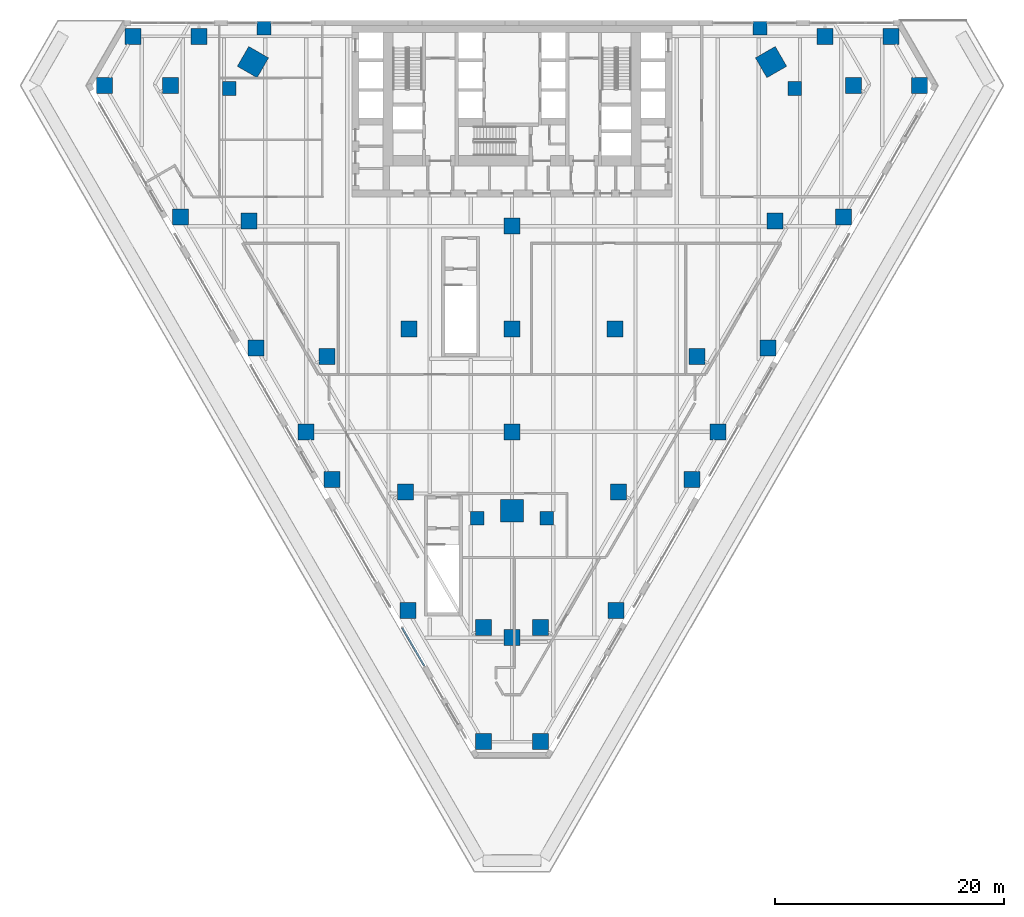
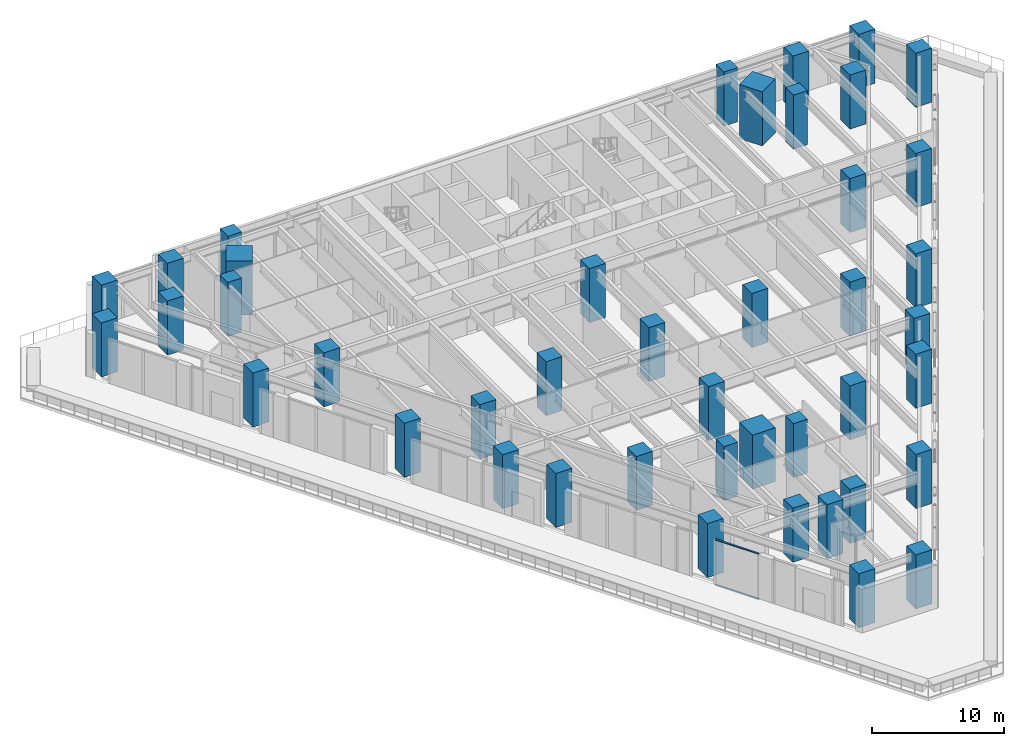
# One storey, part 1 of 31: 43 columns, 2 members, 1 element without a shape of its own.
"""IFC4 building model written with IfcOpenShell, lengths in metres."""

from ifc_helpers import new_model, si_unit, direction, frame, origin, origin_2d, place, context, subcontext, project, spatial, rectangle, extrude, material, material_profile, profile_set, type_object, element, aggregate, save


model = new_model("IFC4")

# Units and contexts
model_context = context("Model", 3, precision=1e-05, world=origin(), true_north=direction((0.0, 1.0)))
body_context = subcontext(model_context, "Body", "Model", "MODEL_VIEW")
ifc_project = project(units=[si_unit("LENGTHUNIT", "METRE"), si_unit("AREAUNIT", "SQUARE_METRE"), si_unit("VOLUMEUNIT", "CUBIC_METRE"), si_unit("PLANEANGLEUNIT", "RADIAN"), si_unit("MASSUNIT", "GRAM", prefix="KILO")], contexts=[model_context])

# Site, building, storey
site_placement = place(None, origin())
site = spatial("IfcSite", under=ifc_project, at=site_placement, CompositionType="ELEMENT")
building_placement = place(site_placement, origin())
building = spatial("IfcBuilding", under=site, at=building_placement, Name="Aloe Facet Convention Tower", CompositionType="ELEMENT")
storey_placement = place(building_placement, frame((0.0, 0.0, 25.0)))
storey = spatial("IfcBuildingStorey", under=building, at=storey_placement, Name="L04", CompositionType="ELEMENT", Elevation=25.0)

# Columns
ifc_material_1 = material(Name="Concrete C60/75", Category="concrete")
ifc_material_profile_1 = material_profile(ifc_material_1, rectangle(XDim=1.39990234375, YDim=1.39990234375, at=origin_2d()), Name="SF-PC-1400")
ifc_profile_set_1 = profile_set([ifc_material_profile_1], Name="Concrete C60/75")
column_type_1 = type_object("IfcColumnType", Name="SF-PC-1400", PredefinedType="COLUMN", material=ifc_profile_set_1)
for number, where, z_axis, x_axis, name in (
    (1, (89.0, 108.0, 0.0), (0.0, 0.0, 1.0), (1.0, 0.0, 0.0), "Podium column PC-10D"),
    (2, (98.0, 99.0, 0.0), (0.0, 0.0, 1.0), (1.0, 0.0, 0.0), "Podium column PC-11E"),
    (3, (62.0, 99.0, 0.0), (0.0, 0.0, 1.0), (1.0, 0.0, 0.0), "Podium column PC-7E"),
    (4, (71.0, 108.0, 0.0), (0.0, 0.0, 1.0), (1.0, 0.0, 0.0), "Podium column PC-8D"),
    (5, (80.0, 117.0, 0.0), (0.0, 0.0, 1.0), (1.0, 0.0, 0.0), "Podium column PC-9C"),
    (6, (80.0, 108.0, 0.0), (0.0, 0.0, 1.0), (1.0, 0.0, 0.0), "Podium column PC-9D"),
    (7, (80.0, 99.0, 0.0), (0.0, 0.0, 1.0), (1.0, 0.0, 0.0), "Podium column PC-9E"),
    (8, (80.0, 81.0, 0.0), (0.0, 0.0, 1.0), (1.0, 0.0, 0.0), "Podium column PC-9G"),
    (9, (102.375, 106.324951171875, 0.0), (0.0, 0.0, 1.0), (1.0, 0.0, 0.0), "Podium column PE-102-106"),
    (10, (103.01611328125, 117.43505859375, 0.0), (0.0, 0.0, 1.0), (1.0, 0.0, 0.0), "Podium column PE-103-117"),
    (11, (107.364990234375, 133.60009765625, 0.0), (0.0, 0.0, 1.0), (1.0, 0.0, 0.0), "Podium column PE-107-134"),
    (12, (109.0029296875, 117.804931640625, 0.0), (0.0, 0.0, 1.0), (1.0, 0.0, 0.0), "Podium column PE-109-118"),
    (13, (109.85693359375, 129.283935546875, 0.0), (0.0, 0.0, 1.0), (1.0, 0.0, 0.0), "Podium column PE-110-129"),
    (14, (113.138916015625, 133.60009765625, 0.0), (0.0, 0.0, 1.0), (1.0, 0.0, 0.0), "Podium column PE-113-134"),
    (15, (115.6298828125, 129.283935546875, 0.0), (0.0, 0.0, 1.0), (1.0, 0.0, 0.0), "Podium column PE-116-129"),
    (16, (44.3701171875, 129.283935546875, 0.0), (0.0, 0.0, 1.0), (1.0, 0.0, 0.0), "Podium column PE-44-129"),
    (17, (46.861083984375, 133.60009765625, 0.0), (0.0, 0.0, 1.0), (1.0, 0.0, 0.0), "Podium column PE-47-134"),
    (18, (50.14306640625, 129.283935546875, 0.0), (0.0, 0.0, 1.0), (1.0, 0.0, 0.0), "Podium column PE-50-129"),
    (19, (50.9970703125, 117.804931640625, 0.0), (0.0, 0.0, 1.0), (1.0, 0.0, 0.0), "Podium column PE-51-118"),
    (20, (52.635009765625, 133.60009765625, 0.0), (0.0, 0.0, 1.0), (1.0, 0.0, 0.0), "Podium column PE-53-134"),
    (21, (56.98388671875, 117.43505859375, 0.0), (0.0, 0.0, 1.0), (1.0, 0.0, 0.0), "Podium column PE-57-117"),
    (22, (57.625, 106.324951171875, 0.0), (0.0, 0.0, 1.0), (1.0, 0.0, 0.0), "Podium column PE-58-106"),
    (23, (63.825927734375, 105.5849609375, 0.0), (0.0, 0.0, 1.0), (1.0, 0.0, 0.0), "Podium column PE-64-106"),
    (24, (64.2529296875, 94.844970703125, 0.0), (0.0, 0.0, 1.0), (1.0, 0.0, 0.0), "Podium column PE-64-95"),
    (25, (70.881103515625, 83.365966796875, 0.0), (0.0, 0.0, 1.0), (1.0, 0.0, 0.0), "Podium column PE-71-83"),
    (26, (70.6669921875, 93.736083984375, 0.0), (0.0, 0.0, 1.0), (1.0, 0.0, 0.0), "Podium column PE-71-94"),
    (27, (77.508056640625, 71.885986328125, 0.0), (0.0, 0.0, 1.0), (1.0, 0.0, 0.0), "Podium column PE-78-72"),
    (28, (77.508056640625, 81.885986328125, 0.0), (0.0, 0.0, 1.0), (1.0, 0.0, 0.0), "Podium column PE-78-82"),
    (29, (82.491943359375, 71.885986328125, 0.0), (0.0, 0.0, 1.0), (1.0, 0.0, 0.0), "Podium column PE-82-72"),
    (30, (82.491943359375, 81.885986328125, 0.0), (0.0, 0.0, 1.0), (1.0, 0.0, 0.0), "Podium column PE-82-82"),
    (31, (89.118896484375, 83.365966796875, 0.0), (0.0, 0.0, 1.0), (1.0, 0.0, 0.0), "Podium column PE-89-83"),
    (32, (89.3330078125, 93.736083984375, 0.0), (0.0, 0.0, 1.0), (1.0, 0.0, 0.0), "Podium column PE-89-94"),
    (33, (96.174072265625, 105.5849609375, 0.0), (0.0, 0.0, 1.0), (1.0, 0.0, 0.0), "Podium column PE-96-106"),
    (34, (95.7470703125, 94.844970703125, 0.0), (0.0, 0.0, 1.0), (1.0, 0.0, 0.0), "Podium column PE-96-95"),
):
    element("IfcColumn", number, at=place(storey_placement, frame(where, z_axis=z_axis, x_axis=x_axis)), inside=storey, type_object=column_type_1, Name=name, PredefinedType="COLUMN", context=body_context, shape_type="SweptSolid", body=[
        extrude(rectangle(XDim=1.39990234375, YDim=1.39990234375, at=origin_2d()), origin(), (0.0, 0.0, 1.0), 5.0),
    ])
ifc_material_2 = material(Name="Concrete C60/75", Category="concrete")
ifc_material_profile_2 = material_profile(ifc_material_2, rectangle(XDim=1.199951171875, YDim=1.199951171875, at=origin_2d()), Name="SF-PR-1200")
ifc_profile_set_2 = profile_set([ifc_material_profile_2], Name="Concrete C60/75")
column_type_2 = type_object("IfcColumnType", Name="SF-PR-1200", PredefinedType="COLUMN", material=ifc_profile_set_2)
for number, where, z_axis, x_axis, name in (
    (35, (55.256103515625, 129.028076171875, 0.0), (0.0, 0.0, 1.0), (1.0, 0.0, 0.0), "Podium column PR-01-55-129"),
    (36, (58.300048828125, 134.300048828125, 0.0), (0.0, 0.0, 1.0), (1.0, 0.0, 0.0), "Podium column PR-02-58-134"),
    (37, (76.956298828125, 91.4423828125, 0.0), (0.0, 0.0, 1.0), (1.0, 0.0, 0.0), "Podium column PR-03-77-91"),
    (38, (83.043701171875, 91.4423828125, 0.0), (0.0, 0.0, 1.0), (1.0, 0.0, 0.0), "Podium column PR-04-83-91"),
    (39, (101.699951171875, 134.300048828125, 0.0), (0.0, 0.0, 1.0), (1.0, 0.0, 0.0), "Podium column PR-05-102-134"),
    (40, (104.743896484375, 129.028076171875, 0.0), (0.0, 0.0, 1.0), (1.0, 0.0, 0.0), "Podium column PR-06-105-129"),
):
    element("IfcColumn", number, at=place(storey_placement, frame(where, z_axis=z_axis, x_axis=x_axis)), inside=storey, type_object=column_type_2, Name=name, PredefinedType="COLUMN", context=body_context, shape_type="SweptSolid", body=[
        extrude(rectangle(XDim=1.199951171875, YDim=1.199951171875, at=origin_2d()), origin(), (0.0, 0.0, 1.0), 5.0),
    ])
ifc_material_3 = material(Name="Concrete C80/95", Category="concrete")
ifc_material_profile_3 = material_profile(ifc_material_3, rectangle(XDim=2.0, YDim=2.0, at=origin_2d()), Name="STW-MC-Z1")
ifc_profile_set_3 = profile_set([ifc_material_profile_3], Name="Concrete C80/95")
column_type_3 = type_object("IfcColumnType", Name="STW-MC-Z1", PredefinedType="COLUMN", material=ifc_profile_set_3)
for number, where, z_axis, x_axis, name in (
    (41, (102.664306640625, 131.342041015625, 0.0), (0.0, 0.0, 1.0), (-0.5, 0.866025403784, 0.0), "Mega-column MC-NE-L04"),
    (42, (57.335693359375, 131.342041015625, 0.0), (0.0, 0.0, 1.0), (-0.5, -0.866025403784, 0.0), "Mega-column MC-NW-L04"),
    (43, (80.0, 92.086181640625, 0.0), (0.0, 0.0, 1.0), (1.0, 0.0, 0.0), "Mega-column MC-S-L04"),
):
    element("IfcColumn", number, at=place(storey_placement, frame(where, z_axis=z_axis, x_axis=x_axis)), inside=storey, type_object=column_type_3, Name=name, PredefinedType="COLUMN", context=body_context, shape_type="SweptSolid", body=[
        extrude(rectangle(XDim=2.0, YDim=2.0, at=origin_2d()), origin(), (0.0, 0.0, 1.0), 5.0),
    ])

# Curtain wall, members
ifc_material_4 = material(Name="Aluminium, anodised", Category="aluminium")
curtain_wall_type = type_object("IfcCurtainWallType", Name="EV-CW-HALL", PredefinedType="USERDEFINED", material=ifc_material_4)
curtain_wall_placement = place(storey_placement, origin())
curtain_wall = element("IfcCurtainWall", 44, at=curtain_wall_placement, inside=storey, type_object=curtain_wall_type, Name="CW-L04-W14-2", ObjectType="UNITISED HALL GLAZING", PredefinedType="USERDEFINED")
ifc_material_5 = material(Name="Aluminium, anodised", Category="aluminium")
ifc_material_profile_4 = material_profile(ifc_material_5, rectangle(XDim=0.159912109375, YDim=0.06494140625, at=origin_2d()), Name="AL 160x65")
ifc_profile_set_4 = profile_set([ifc_material_profile_4], Name="Aluminium, anodised")
member_type = type_object("IfcMemberType", Name="EV-TRAN-HALL", PredefinedType="USERDEFINED", material=ifc_profile_set_4)
member_1_placement = place(storey_placement, frame((70.40771484375, 81.834716796875, -0.217529296875), z_axis=(0.500033899925, -0.866005830769, 0.0), x_axis=(0.866005830769, 0.500033899925, 0.0)))
member_1 = element("IfcMember", 45, at=member_1_placement, type_object=member_type, Name="CW-L04-W14-2 transom 1.1", ObjectType="TRANSOM", PredefinedType="USERDEFINED", context=body_context, shape_type="SweptSolid", body=[
    extrude(rectangle(XDim=0.159912109375, YDim=0.06494140625, at=origin_2d()), origin(), (0.0, 0.0, 1.0), 3.822509765625),
])
member_2_placement = place(storey_placement, frame((70.40771484375, 81.834716796875, 3.97998046875), z_axis=(0.500033899925, -0.866005830769, 0.0), x_axis=(0.866005830769, 0.500033899925, 0.0)))
member_2 = element("IfcMember", 46, at=member_2_placement, type_object=member_type, Name="CW-L04-W14-2 transom 1.2", ObjectType="TRANSOM", PredefinedType="USERDEFINED", context=body_context, shape_type="SweptSolid", body=[
    extrude(rectangle(XDim=0.159912109375, YDim=0.06494140625, at=origin_2d()), origin(), (0.0, 0.0, 1.0), 3.822509765625),
])
aggregate(curtain_wall, [member_1, member_2])

save(model, "model.ifc")
